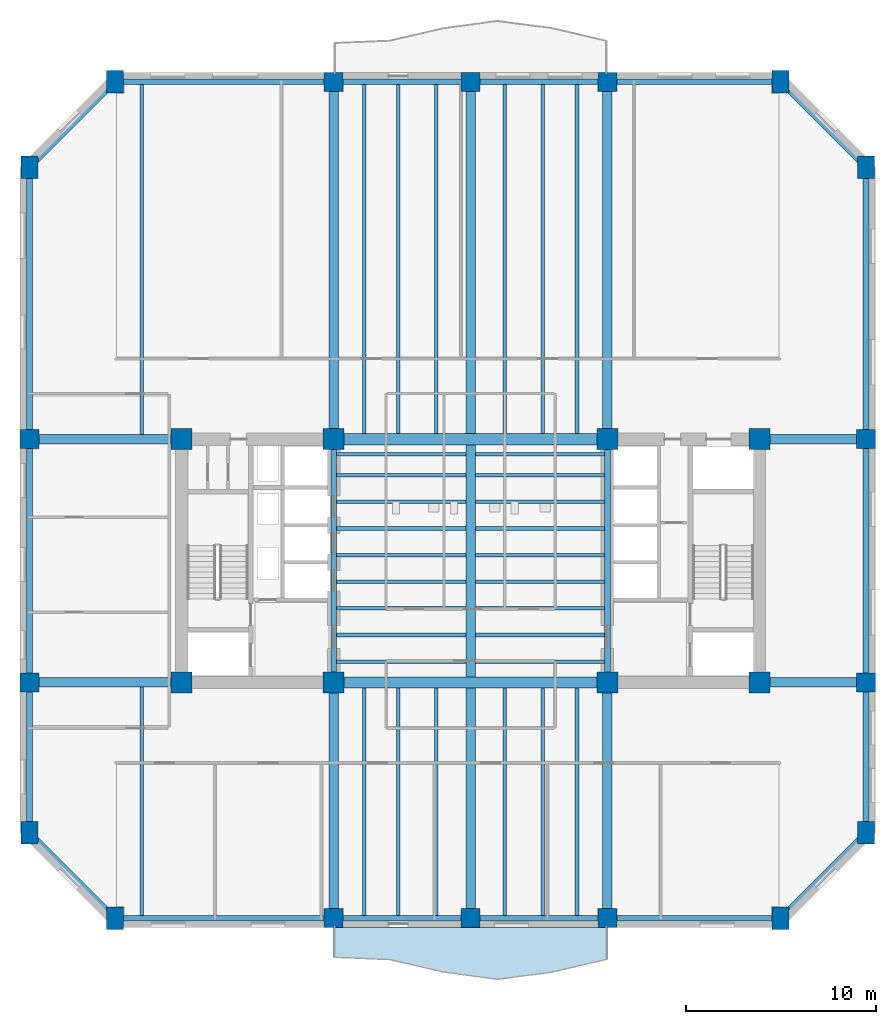
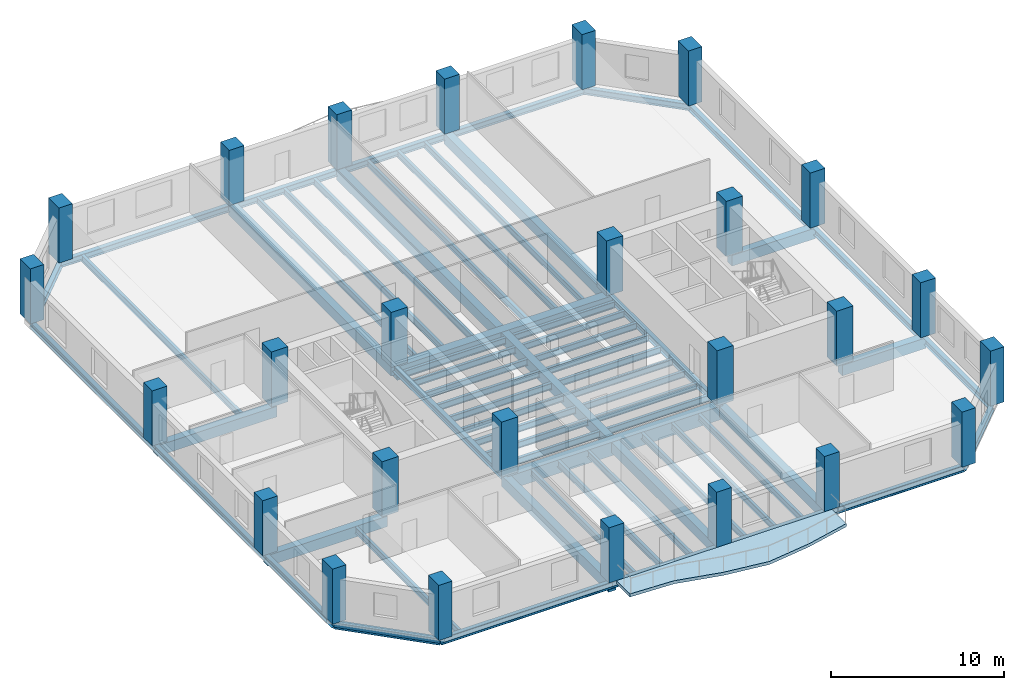
# One storey, part 1 of 10: 65 beams, 26 columns, 1 slab.
"""IFC4 building model written with IfcOpenShell, lengths in metres."""

from ifc_helpers import new_model, si_unit, direction, frame, origin, origin_2d, place, context, subcontext, project, spatial, polyline, rectangle, i_section, outline, extrude, material, layer, layer_set, material_profile, profile_set, type_object, element, save


model = new_model("IFC4")

# Units and contexts
model_context = context("Model", 3, precision=1e-05, world=origin(), true_north=direction((0.0, 1.0)))
body_context = subcontext(model_context, "Body", "Model", "MODEL_VIEW")
ifc_project = project(units=[si_unit("LENGTHUNIT", "METRE"), si_unit("AREAUNIT", "SQUARE_METRE"), si_unit("VOLUMEUNIT", "CUBIC_METRE"), si_unit("PLANEANGLEUNIT", "RADIAN"), si_unit("MASSUNIT", "GRAM", prefix="KILO")], contexts=[model_context])

# Site, building, storey
site_placement = place(None, origin())
site = spatial("IfcSite", under=ifc_project, at=site_placement, CompositionType="ELEMENT")
building_placement = place(site_placement, origin())
building = spatial("IfcBuilding", under=site, at=building_placement, Name="Kranthara Brick Stack", CompositionType="ELEMENT")
storey_placement = place(building_placement, frame((0.0, 0.0, 106.199951171875)))
storey = spatial("IfcBuildingStorey", under=building, at=storey_placement, Name="L26", CompositionType="ELEMENT", Elevation=106.199951171875)

# Columns
ifc_material_1 = material(Name="Concrete C70/85", Category="concrete")
ifc_material_profile_1 = material_profile(ifc_material_1, rectangle(XDim=0.89990234375, YDim=1.199951171875, at=origin_2d()), Name="RC 900x1200")
ifc_profile_set_1 = profile_set([ifc_material_profile_1], Name="Concrete C70/85")
column_type_1 = type_object("IfcColumnType", Name="COL-CHAM-900x1200", PredefinedType="COLUMN", material=ifc_profile_set_1)
for number, where, z_axis, x_axis, name in (
    (1, (9.300048828125, 8.39990234375, 0.0), (0.0, 0.0, 1.0), (1.0, 0.0, 0.0), "L26 Column 09"),
    (2, (9.300048828125, 52.39990234375, 0.0), (0.0, 0.0, 1.0), (1.0, 0.0, 0.0), "L26 Column 10"),
    (3, (44.300048828125, 8.39990234375, 0.0), (0.0, 0.0, 1.0), (1.0, 0.0, 0.0), "L26 Column 17"),
    (4, (44.300048828125, 52.39990234375, 0.0), (0.0, 0.0, 1.0), (1.0, 0.0, 0.0), "L26 Column 18"),
    (5, (4.800048828125, 12.89990234375, 0.0), (0.0, 0.0, 1.0), (1.0, 0.0, 0.0), "L26 Column 19"),
    (6, (48.800048828125, 12.89990234375, 0.0), (0.0, 0.0, 1.0), (1.0, 0.0, 0.0), "L26 Column 20"),
    (7, (4.800048828125, 47.89990234375, 0.0), (0.0, 0.0, 1.0), (1.0, 0.0, 0.0), "L26 Column 25"),
    (8, (48.800048828125, 47.89990234375, 0.0), (0.0, 0.0, 1.0), (1.0, 0.0, 0.0), "L26 Column 26"),
):
    element("IfcColumn", number, at=place(storey_placement, frame(where, z_axis=z_axis, x_axis=x_axis)), inside=storey, type_object=column_type_1, Name=name, PredefinedType="COLUMN", context=body_context, shape_type="SweptSolid", body=[
        extrude(rectangle(XDim=0.89990234375, YDim=1.199951171875, at=origin_2d()), origin(), (0.0, 0.0, 1.0), 3.900146484375),
    ])
ifc_material_2 = material(Name="Concrete C70/85", Category="concrete")
ifc_material_profile_2 = material_profile(ifc_material_2, rectangle(XDim=1.10009765625, YDim=1.10009765625, at=origin_2d()), Name="RC 1100x1100")
ifc_profile_set_2 = profile_set([ifc_material_profile_2], Name="Concrete C70/85")
column_type_2 = type_object("IfcColumnType", Name="COL-CORE-1100", PredefinedType="COLUMN", material=ifc_profile_set_2)
for number, where, z_axis, x_axis, name in (
    (9, (12.800048828125, 20.800048828125, 0.0), (0.0, 0.0, 1.0), (1.0, 0.0, 0.0), "L26 Column 01"),
    (10, (20.800048828125, 20.800048828125, 0.0), (0.0, 0.0, 1.0), (1.0, 0.0, 0.0), "L26 Column 02"),
    (11, (12.800048828125, 33.60009765625, 0.0), (0.0, 0.0, 1.0), (1.0, 0.0, 0.0), "L26 Column 03"),
    (12, (20.800048828125, 33.60009765625, 0.0), (0.0, 0.0, 1.0), (1.0, 0.0, 0.0), "L26 Column 04"),
    (13, (35.199951171875, 20.800048828125, 0.0), (0.0, 0.0, 1.0), (1.0, 0.0, 0.0), "L26 Column 05"),
    (14, (43.199951171875, 20.800048828125, 0.0), (0.0, 0.0, 1.0), (1.0, 0.0, 0.0), "L26 Column 06"),
    (15, (35.199951171875, 33.60009765625, 0.0), (0.0, 0.0, 1.0), (1.0, 0.0, 0.0), "L26 Column 07"),
    (16, (43.199951171875, 33.60009765625, 0.0), (0.0, 0.0, 1.0), (1.0, 0.0, 0.0), "L26 Column 08"),
):
    element("IfcColumn", number, at=place(storey_placement, frame(where, z_axis=z_axis, x_axis=x_axis)), inside=storey, type_object=column_type_2, Name=name, PredefinedType="COLUMN", context=body_context, shape_type="SweptSolid", body=[
        extrude(rectangle(XDim=1.10009765625, YDim=1.10009765625, at=origin_2d()), origin(), (0.0, 0.0, 1.0), 3.900146484375),
    ])
ifc_material_3 = material(Name="Concrete C60/75", Category="concrete")
ifc_material_profile_3 = material_profile(ifc_material_3, rectangle(XDim=1.0, YDim=1.0, at=origin_2d()), Name="RC 1000x1000")
ifc_profile_set_3 = profile_set([ifc_material_profile_3], Name="Concrete C60/75")
column_type_3 = type_object("IfcColumnType", Name="COL-PER-1000", PredefinedType="COLUMN", material=ifc_profile_set_3)
for number, where, z_axis, x_axis, name in (
    (17, (20.800048828125, 8.39990234375, 0.0), (0.0, 0.0, 1.0), (1.0, 0.0, 0.0), "L26 Column 11"),
    (18, (20.800048828125, 52.39990234375, 0.0), (0.0, 0.0, 1.0), (1.0, 0.0, 0.0), "L26 Column 12"),
    (19, (28.0, 8.39990234375, 0.0), (0.0, 0.0, 1.0), (1.0, 0.0, 0.0), "L26 Column 13"),
    (20, (28.0, 52.39990234375, 0.0), (0.0, 0.0, 1.0), (1.0, 0.0, 0.0), "L26 Column 14"),
    (21, (35.199951171875, 8.39990234375, 0.0), (0.0, 0.0, 1.0), (1.0, 0.0, 0.0), "L26 Column 15"),
    (22, (35.199951171875, 52.39990234375, 0.0), (0.0, 0.0, 1.0), (1.0, 0.0, 0.0), "L26 Column 16"),
    (23, (4.800048828125, 20.800048828125, 0.0), (0.0, 0.0, 1.0), (1.0, 0.0, 0.0), "L26 Column 21"),
    (24, (48.800048828125, 20.800048828125, 0.0), (0.0, 0.0, 1.0), (1.0, 0.0, 0.0), "L26 Column 22"),
    (25, (4.800048828125, 33.60009765625, 0.0), (0.0, 0.0, 1.0), (1.0, 0.0, 0.0), "L26 Column 23"),
    (26, (48.800048828125, 33.60009765625, 0.0), (0.0, 0.0, 1.0), (1.0, 0.0, 0.0), "L26 Column 24"),
):
    element("IfcColumn", number, at=place(storey_placement, frame(where, z_axis=z_axis, x_axis=x_axis)), inside=storey, type_object=column_type_3, Name=name, PredefinedType="COLUMN", context=body_context, shape_type="SweptSolid", body=[
        extrude(rectangle(XDim=1.0, YDim=1.0, at=origin_2d()), origin(), (0.0, 0.0, 1.0), 3.900146484375),
    ])

# Beams
ifc_material_4 = material(Name="Concrete C60/75", Category="concrete")
ifc_material_profile_4 = material_profile(ifc_material_4, rectangle(XDim=0.60009765625, YDim=0.949951171875, at=origin_2d()), Name="RC 600x950")
ifc_profile_set_4 = profile_set([ifc_material_profile_4], Name="Concrete C60/75")
beam_type_1 = type_object("IfcBeamType", Name="BM-CPL-RC950", PredefinedType="LINTEL", material=ifc_profile_set_4)
for number, where, z_axis, x_axis, name in (
    (27, (20.800048828125, 20.800048828125, -0.77490234375), (1.0, 0.0, 0.0), (0.0, 1.0, 0.0), "L26 Core Coupling Beam 001"),
    (28, (20.800048828125, 33.60009765625, -0.77490234375), (1.0, 0.0, 0.0), (0.0, 1.0, 0.0), "L26 Core Coupling Beam 002"),
):
    element("IfcBeam", number, at=place(storey_placement, frame(where, z_axis=z_axis, x_axis=x_axis)), inside=storey, type_object=beam_type_1, Name=name, PredefinedType="LINTEL", context=body_context, shape_type="SweptSolid", body=[
        extrude(rectangle(XDim=0.60009765625, YDim=0.949951171875, at=origin_2d()), origin(), (0.0, 0.0, 1.0), 14.39990234375),
    ])
ifc_material_5 = material(Name="Post-tensioned concrete C45/55", Category="concrete")
ifc_material_profile_5 = material_profile(ifc_material_5, rectangle(XDim=0.5, YDim=0.75, at=origin_2d()), Name="PT 500x750")
ifc_profile_set_5 = profile_set([ifc_material_profile_5], Name="Post-tensioned concrete C45/55")
beam_type_2 = type_object("IfcBeamType", Name="BM-FLR-PT750", PredefinedType="BEAM", material=ifc_profile_set_5)
beam_1_placement = place(storey_placement, frame((20.800048828125, 8.39990234375, -0.675048828125), z_axis=(0.0, 1.0, 0.0), x_axis=(-1.0, 0.0, 0.0)))
element("IfcBeam", 29, at=beam_1_placement, inside=storey, type_object=beam_type_2, Name="L26 Primary Grid Girder 023", PredefinedType="BEAM", context=body_context, shape_type="SweptSolid", body=[
    extrude(rectangle(XDim=0.5, YDim=0.75, at=origin_2d()), origin(), (0.0, 0.0, 1.0), 12.400146484375),
])
beam_2_placement = place(storey_placement, frame((20.800048828125, 33.60009765625, -0.675048828125), z_axis=(0.0, 1.0, 0.0), x_axis=(-1.0, 0.0, 0.0)))
element("IfcBeam", 30, at=beam_2_placement, inside=storey, type_object=beam_type_2, Name="L26 Primary Grid Girder 024", PredefinedType="BEAM", context=body_context, shape_type="SweptSolid", body=[
    extrude(rectangle(XDim=0.5, YDim=0.75, at=origin_2d()), origin(), (0.0, 0.0, 1.0), 18.7998046875),
])
beam_3_placement = place(storey_placement, frame((28.0, 8.39990234375, -0.675048828125), z_axis=(0.0, 1.0, 0.0), x_axis=(-1.0, 0.0, 0.0)))
element("IfcBeam", 31, at=beam_3_placement, inside=storey, type_object=beam_type_2, Name="L26 Primary Grid Girder 025", PredefinedType="BEAM", context=body_context, shape_type="SweptSolid", body=[
    extrude(rectangle(XDim=0.5, YDim=0.75, at=origin_2d()), origin(), (0.0, 0.0, 1.0), 12.10009765625),
])
beam_4_placement = place(storey_placement, frame((28.0, 21.10009765625, -0.675048828125), z_axis=(0.0, 1.0, 0.0), x_axis=(-1.0, 0.0, 0.0)))
element("IfcBeam", 32, at=beam_4_placement, inside=storey, type_object=beam_type_2, Name="L26 Central Spine Girder 026", PredefinedType="BEAM", context=body_context, shape_type="SweptSolid", body=[
    extrude(rectangle(XDim=0.5, YDim=0.75, at=origin_2d()), origin(), (0.0, 0.0, 1.0), 12.199951171875),
])
beam_5_placement = place(storey_placement, frame((28.0, 33.89990234375, -0.675048828125), z_axis=(0.0, 1.0, 0.0), x_axis=(-1.0, 0.0, 0.0)))
element("IfcBeam", 33, at=beam_5_placement, inside=storey, type_object=beam_type_2, Name="L26 Primary Grid Girder 027", PredefinedType="BEAM", context=body_context, shape_type="SweptSolid", body=[
    extrude(rectangle(XDim=0.5, YDim=0.75, at=origin_2d()), origin(), (0.0, 0.0, 1.0), 18.5),
])
beam_6_placement = place(storey_placement, frame((35.199951171875, 8.39990234375, -0.675048828125), z_axis=(0.0, 1.0, 0.0), x_axis=(-1.0, 0.0, 0.0)))
element("IfcBeam", 34, at=beam_6_placement, inside=storey, type_object=beam_type_2, Name="L26 Primary Grid Girder 028", PredefinedType="BEAM", context=body_context, shape_type="SweptSolid", body=[
    extrude(rectangle(XDim=0.5, YDim=0.75, at=origin_2d()), origin(), (0.0, 0.0, 1.0), 12.400146484375),
])
beam_7_placement = place(storey_placement, frame((35.199951171875, 33.60009765625, -0.675048828125), z_axis=(0.0, 1.0, 0.0), x_axis=(-1.0, 0.0, 0.0)))
element("IfcBeam", 35, at=beam_7_placement, inside=storey, type_object=beam_type_2, Name="L26 Primary Grid Girder 029", PredefinedType="BEAM", context=body_context, shape_type="SweptSolid", body=[
    extrude(rectangle(XDim=0.5, YDim=0.75, at=origin_2d()), origin(), (0.0, 0.0, 1.0), 18.7998046875),
])
beam_8_placement = place(storey_placement, frame((4.800048828125, 20.800048828125, -0.675048828125), z_axis=(1.0, 0.0, 0.0), x_axis=(0.0, 1.0, 0.0)))
element("IfcBeam", 36, at=beam_8_placement, inside=storey, type_object=beam_type_2, Name="L26 Primary Grid Girder 030", PredefinedType="BEAM", context=body_context, shape_type="SweptSolid", body=[
    extrude(rectangle(XDim=0.5, YDim=0.75, at=origin_2d()), origin(), (0.0, 0.0, 1.0), 8.0),
])
beam_9_placement = place(storey_placement, frame((43.199951171875, 20.800048828125, -0.675048828125), z_axis=(1.0, 0.0, 0.0), x_axis=(0.0, 1.0, 0.0)))
element("IfcBeam", 37, at=beam_9_placement, inside=storey, type_object=beam_type_2, Name="L26 Primary Grid Girder 031", PredefinedType="BEAM", context=body_context, shape_type="SweptSolid", body=[
    extrude(rectangle(XDim=0.5, YDim=0.75, at=origin_2d()), origin(), (0.0, 0.0, 1.0), 5.60009765625),
])
beam_10_placement = place(storey_placement, frame((4.800048828125, 33.60009765625, -0.675048828125), z_axis=(1.0, 0.0, 0.0), x_axis=(0.0, 1.0, 0.0)))
element("IfcBeam", 38, at=beam_10_placement, inside=storey, type_object=beam_type_2, Name="L26 Primary Grid Girder 032", PredefinedType="BEAM", context=body_context, shape_type="SweptSolid", body=[
    extrude(rectangle(XDim=0.5, YDim=0.75, at=origin_2d()), origin(), (0.0, 0.0, 1.0), 8.0),
])
beam_11_placement = place(storey_placement, frame((43.199951171875, 33.60009765625, -0.675048828125), z_axis=(1.0, 0.0, 0.0), x_axis=(0.0, 1.0, 0.0)))
element("IfcBeam", 39, at=beam_11_placement, inside=storey, type_object=beam_type_2, Name="L26 Primary Grid Girder 033", PredefinedType="BEAM", context=body_context, shape_type="SweptSolid", body=[
    extrude(rectangle(XDim=0.5, YDim=0.75, at=origin_2d()), origin(), (0.0, 0.0, 1.0), 5.60009765625),
])
ifc_material_6 = material(Name="Steel S355", Category="steel")
ifc_material_profile_6 = material_profile(ifc_material_6, i_section(OverallWidth=0.18994140625, OverallDepth=0.449951171875, WebThickness=0.009521484375, FlangeThickness=0.0146484375, at=origin_2d()), Name="IPE 450")
ifc_profile_set_6 = profile_set([ifc_material_profile_6], Name="Steel S355")
beam_type_3 = type_object("IfcBeamType", Name="BM-JST-IPE450", PredefinedType="JOIST", material=ifc_profile_set_6)
for number, where, z_axis, x_axis, name in (
    (40, (20.949951171875, 21.89990234375, -0.52490234375), (1.0, 0.0, 0.0), (0.0, 1.0, 0.0), "L26 Central Floor Joist 034"),
    (41, (28.25, 21.89990234375, -0.52490234375), (1.0, 0.0, 0.0), (0.0, 1.0, 0.0), "L26 Central Floor Joist 035"),
    (42, (20.949951171875, 23.300048828125, -0.52490234375), (1.0, 0.0, 0.0), (0.0, 1.0, 0.0), "L26 Central Floor Joist 036"),
    (43, (28.25, 23.300048828125, -0.52490234375), (1.0, 0.0, 0.0), (0.0, 1.0, 0.0), "L26 Central Floor Joist 037"),
    (44, (20.949951171875, 24.699951171875, -0.52490234375), (1.0, 0.0, 0.0), (0.0, 1.0, 0.0), "L26 Central Floor Joist 038"),
    (45, (28.25, 24.699951171875, -0.52490234375), (1.0, 0.0, 0.0), (0.0, 1.0, 0.0), "L26 Central Floor Joist 039"),
    (46, (20.949951171875, 26.10009765625, -0.52490234375), (1.0, 0.0, 0.0), (0.0, 1.0, 0.0), "L26 Central Floor Joist 040"),
    (47, (28.25, 26.10009765625, -0.52490234375), (1.0, 0.0, 0.0), (0.0, 1.0, 0.0), "L26 Central Floor Joist 041"),
    (48, (20.949951171875, 27.5, -0.52490234375), (1.0, 0.0, 0.0), (0.0, 1.0, 0.0), "L26 Central Floor Joist 042"),
    (49, (28.25, 27.5, -0.52490234375), (1.0, 0.0, 0.0), (0.0, 1.0, 0.0), "L26 Central Floor Joist 043"),
    (50, (20.949951171875, 28.89990234375, -0.52490234375), (1.0, 0.0, 0.0), (0.0, 1.0, 0.0), "L26 Central Floor Joist 044"),
    (51, (28.25, 28.89990234375, -0.52490234375), (1.0, 0.0, 0.0), (0.0, 1.0, 0.0), "L26 Central Floor Joist 045"),
    (52, (20.949951171875, 30.300048828125, -0.52490234375), (1.0, 0.0, 0.0), (0.0, 1.0, 0.0), "L26 Central Floor Joist 046"),
    (53, (28.25, 30.300048828125, -0.52490234375), (1.0, 0.0, 0.0), (0.0, 1.0, 0.0), "L26 Central Floor Joist 047"),
    (54, (20.949951171875, 31.699951171875, -0.52490234375), (1.0, 0.0, 0.0), (0.0, 1.0, 0.0), "L26 Central Floor Joist 048"),
    (55, (28.25, 31.699951171875, -0.52490234375), (1.0, 0.0, 0.0), (0.0, 1.0, 0.0), "L26 Central Floor Joist 049"),
    (56, (20.949951171875, 32.800048828125, -0.52490234375), (1.0, 0.0, 0.0), (0.0, 1.0, 0.0), "L26 Central Floor Joist 050"),
    (57, (28.25, 32.800048828125, -0.52490234375), (1.0, 0.0, 0.0), (0.0, 1.0, 0.0), "L26 Central Floor Joist 051"),
):
    element("IfcBeam", number, at=place(storey_placement, frame(where, z_axis=z_axis, x_axis=x_axis)), inside=storey, type_object=beam_type_3, Name=name, PredefinedType="JOIST", context=body_context, shape_type="SweptSolid", body=[
        extrude(i_section(OverallWidth=0.18994140625, OverallDepth=0.449951171875, WebThickness=0.009521484375, FlangeThickness=0.0146484375, at=origin_2d()), origin(), (0.0, 0.0, 1.0), 6.800048828125),
    ])
beam_12_placement = place(storey_placement, frame((10.699951171875, 8.550048828125, -0.52490234375), z_axis=(0.0, 1.0, 0.0), x_axis=(-1.0, 0.0, 0.0)))
element("IfcBeam", 58, at=beam_12_placement, inside=storey, type_object=beam_type_3, Name="L26 South Wing Floor Joist 052", PredefinedType="JOIST", context=body_context, shape_type="SweptSolid", body=[
    extrude(i_section(OverallWidth=0.18994140625, OverallDepth=0.449951171875, WebThickness=0.009521484375, FlangeThickness=0.0146484375, at=origin_2d()), origin(), (0.0, 0.0, 1.0), 12.0),
])
beam_13_placement = place(storey_placement, frame((10.699951171875, 33.85009765625, -0.52490234375), z_axis=(0.0, 1.0, 0.0), x_axis=(-1.0, 0.0, 0.0)))
element("IfcBeam", 59, at=beam_13_placement, inside=storey, type_object=beam_type_3, Name="L26 North Wing Floor Joist 053", PredefinedType="JOIST", context=body_context, shape_type="SweptSolid", body=[
    extrude(i_section(OverallWidth=0.18994140625, OverallDepth=0.449951171875, WebThickness=0.009521484375, FlangeThickness=0.0146484375, at=origin_2d()), origin(), (0.0, 0.0, 1.0), 18.39990234375),
])
beam_14_placement = place(storey_placement, frame((22.39990234375, 8.550048828125, -0.52490234375), z_axis=(0.0, 1.0, 0.0), x_axis=(-1.0, 0.0, 0.0)))
element("IfcBeam", 60, at=beam_14_placement, inside=storey, type_object=beam_type_3, Name="L26 South Wing Floor Joist 054", PredefinedType="JOIST", context=body_context, shape_type="SweptSolid", body=[
    extrude(i_section(OverallWidth=0.18994140625, OverallDepth=0.449951171875, WebThickness=0.009521484375, FlangeThickness=0.0146484375, at=origin_2d()), origin(), (0.0, 0.0, 1.0), 11.949951171875),
])
beam_15_placement = place(storey_placement, frame((22.39990234375, 33.89990234375, -0.52490234375), z_axis=(0.0, 1.0, 0.0), x_axis=(-1.0, 0.0, 0.0)))
element("IfcBeam", 61, at=beam_15_placement, inside=storey, type_object=beam_type_3, Name="L26 North Wing Floor Joist 055", PredefinedType="JOIST", context=body_context, shape_type="SweptSolid", body=[
    extrude(i_section(OverallWidth=0.18994140625, OverallDepth=0.449951171875, WebThickness=0.009521484375, FlangeThickness=0.0146484375, at=origin_2d()), origin(), (0.0, 0.0, 1.0), 18.35009765625),
])
beam_16_placement = place(storey_placement, frame((24.199951171875, 8.550048828125, -0.52490234375), z_axis=(0.0, 1.0, 0.0), x_axis=(-1.0, 0.0, 0.0)))
element("IfcBeam", 62, at=beam_16_placement, inside=storey, type_object=beam_type_3, Name="L26 South Wing Floor Joist 056", PredefinedType="JOIST", context=body_context, shape_type="SweptSolid", body=[
    extrude(i_section(OverallWidth=0.18994140625, OverallDepth=0.449951171875, WebThickness=0.009521484375, FlangeThickness=0.0146484375, at=origin_2d()), origin(), (0.0, 0.0, 1.0), 11.949951171875),
])
beam_17_placement = place(storey_placement, frame((24.199951171875, 33.89990234375, -0.52490234375), z_axis=(0.0, 1.0, 0.0), x_axis=(-1.0, 0.0, 0.0)))
element("IfcBeam", 63, at=beam_17_placement, inside=storey, type_object=beam_type_3, Name="L26 North Wing Floor Joist 057", PredefinedType="JOIST", context=body_context, shape_type="SweptSolid", body=[
    extrude(i_section(OverallWidth=0.18994140625, OverallDepth=0.449951171875, WebThickness=0.009521484375, FlangeThickness=0.0146484375, at=origin_2d()), origin(), (0.0, 0.0, 1.0), 18.35009765625),
])
beam_18_placement = place(storey_placement, frame((26.199951171875, 8.550048828125, -0.52490234375), z_axis=(0.0, 1.0, 0.0), x_axis=(-1.0, 0.0, 0.0)))
element("IfcBeam", 64, at=beam_18_placement, inside=storey, type_object=beam_type_3, Name="L26 South Wing Floor Joist 058", PredefinedType="JOIST", context=body_context, shape_type="SweptSolid", body=[
    extrude(i_section(OverallWidth=0.18994140625, OverallDepth=0.449951171875, WebThickness=0.009521484375, FlangeThickness=0.0146484375, at=origin_2d()), origin(), (0.0, 0.0, 1.0), 11.949951171875),
])
beam_19_placement = place(storey_placement, frame((26.199951171875, 33.89990234375, -0.52490234375), z_axis=(0.0, 1.0, 0.0), x_axis=(-1.0, 0.0, 0.0)))
element("IfcBeam", 65, at=beam_19_placement, inside=storey, type_object=beam_type_3, Name="L26 North Wing Floor Joist 059", PredefinedType="JOIST", context=body_context, shape_type="SweptSolid", body=[
    extrude(i_section(OverallWidth=0.18994140625, OverallDepth=0.449951171875, WebThickness=0.009521484375, FlangeThickness=0.0146484375, at=origin_2d()), origin(), (0.0, 0.0, 1.0), 18.35009765625),
])
beam_20_placement = place(storey_placement, frame((29.800048828125, 8.550048828125, -0.52490234375), z_axis=(0.0, 1.0, 0.0), x_axis=(-1.0, 0.0, 0.0)))
element("IfcBeam", 66, at=beam_20_placement, inside=storey, type_object=beam_type_3, Name="L26 South Wing Floor Joist 060", PredefinedType="JOIST", context=body_context, shape_type="SweptSolid", body=[
    extrude(i_section(OverallWidth=0.18994140625, OverallDepth=0.449951171875, WebThickness=0.009521484375, FlangeThickness=0.0146484375, at=origin_2d()), origin(), (0.0, 0.0, 1.0), 11.949951171875),
])
beam_21_placement = place(storey_placement, frame((29.800048828125, 33.89990234375, -0.52490234375), z_axis=(0.0, 1.0, 0.0), x_axis=(-1.0, 0.0, 0.0)))
element("IfcBeam", 67, at=beam_21_placement, inside=storey, type_object=beam_type_3, Name="L26 North Wing Floor Joist 061", PredefinedType="JOIST", context=body_context, shape_type="SweptSolid", body=[
    extrude(i_section(OverallWidth=0.18994140625, OverallDepth=0.449951171875, WebThickness=0.009521484375, FlangeThickness=0.0146484375, at=origin_2d()), origin(), (0.0, 0.0, 1.0), 18.35009765625),
])
beam_22_placement = place(storey_placement, frame((31.800048828125, 8.550048828125, -0.52490234375), z_axis=(0.0, 1.0, 0.0), x_axis=(-1.0, 0.0, 0.0)))
element("IfcBeam", 68, at=beam_22_placement, inside=storey, type_object=beam_type_3, Name="L26 South Wing Floor Joist 062", PredefinedType="JOIST", context=body_context, shape_type="SweptSolid", body=[
    extrude(i_section(OverallWidth=0.18994140625, OverallDepth=0.449951171875, WebThickness=0.009521484375, FlangeThickness=0.0146484375, at=origin_2d()), origin(), (0.0, 0.0, 1.0), 11.949951171875),
])
beam_23_placement = place(storey_placement, frame((31.800048828125, 33.89990234375, -0.52490234375), z_axis=(0.0, 1.0, 0.0), x_axis=(-1.0, 0.0, 0.0)))
element("IfcBeam", 69, at=beam_23_placement, inside=storey, type_object=beam_type_3, Name="L26 North Wing Floor Joist 063", PredefinedType="JOIST", context=body_context, shape_type="SweptSolid", body=[
    extrude(i_section(OverallWidth=0.18994140625, OverallDepth=0.449951171875, WebThickness=0.009521484375, FlangeThickness=0.0146484375, at=origin_2d()), origin(), (0.0, 0.0, 1.0), 18.35009765625),
])
beam_24_placement = place(storey_placement, frame((33.60009765625, 8.550048828125, -0.52490234375), z_axis=(0.0, 1.0, 0.0), x_axis=(-1.0, 0.0, 0.0)))
element("IfcBeam", 70, at=beam_24_placement, inside=storey, type_object=beam_type_3, Name="L26 South Wing Floor Joist 064", PredefinedType="JOIST", context=body_context, shape_type="SweptSolid", body=[
    extrude(i_section(OverallWidth=0.18994140625, OverallDepth=0.449951171875, WebThickness=0.009521484375, FlangeThickness=0.0146484375, at=origin_2d()), origin(), (0.0, 0.0, 1.0), 11.949951171875),
])
beam_25_placement = place(storey_placement, frame((33.60009765625, 33.89990234375, -0.52490234375), z_axis=(0.0, 1.0, 0.0), x_axis=(-1.0, 0.0, 0.0)))
element("IfcBeam", 71, at=beam_25_placement, inside=storey, type_object=beam_type_3, Name="L26 North Wing Floor Joist 065", PredefinedType="JOIST", context=body_context, shape_type="SweptSolid", body=[
    extrude(i_section(OverallWidth=0.18994140625, OverallDepth=0.449951171875, WebThickness=0.009521484375, FlangeThickness=0.0146484375, at=origin_2d()), origin(), (0.0, 0.0, 1.0), 18.35009765625),
])
ifc_material_7 = material(Name="Steel S355", Category="steel")
ifc_material_profile_7 = material_profile(ifc_material_7, i_section(OverallWidth=0.300048828125, OverallDepth=0.449951171875, WebThickness=0.013916015625, FlangeThickness=0.02587890625, at=origin_2d()), Name="HEB 450")
ifc_profile_set_7 = profile_set([ifc_material_profile_7], Name="Steel S355")
beam_type_4 = type_object("IfcBeamType", Name="BM-STL-HEB450", PredefinedType="SPANDREL", material=ifc_profile_set_7)
for number, where, z_axis, x_axis, name in (
    (72, (20.800048828125, 20.800048828125, -0.52490234375), (0.0, 1.0, 0.0), (-1.0, 0.0, 0.0), "L26 Core Edge Tie Beam 003"),
    (73, (35.199951171875, 20.800048828125, -0.52490234375), (0.0, 1.0, 0.0), (-1.0, 0.0, 0.0), "L26 Core Edge Tie Beam 004"),
):
    element("IfcBeam", number, at=place(storey_placement, frame(where, z_axis=z_axis, x_axis=x_axis)), inside=storey, type_object=beam_type_4, Name=name, PredefinedType="SPANDREL", context=body_context, shape_type="SweptSolid", body=[
        extrude(i_section(OverallWidth=0.300048828125, OverallDepth=0.449951171875, WebThickness=0.013916015625, FlangeThickness=0.02587890625, at=origin_2d()), origin(), (0.0, 0.0, 1.0), 12.800048828125),
    ])
beam_26_placement = place(storey_placement, frame((9.300048828125, 8.39990234375, -0.52490234375), z_axis=(1.0, 0.0, 0.0), x_axis=(0.0, 1.0, 0.0)))
element("IfcBeam", 74, at=beam_26_placement, inside=storey, type_object=beam_type_4, Name="L26 Perimeter Spandrel Beam 005", PredefinedType="SPANDREL", context=body_context, shape_type="SweptSolid", body=[
    extrude(i_section(OverallWidth=0.300048828125, OverallDepth=0.449951171875, WebThickness=0.013916015625, FlangeThickness=0.02587890625, at=origin_2d()), origin(), (0.0, 0.0, 1.0), 11.5),
])
for number, where, z_axis, x_axis, name in (
    (75, (20.800048828125, 8.39990234375, -0.52490234375), (1.0, 0.0, 0.0), (0.0, 1.0, 0.0), "L26 Perimeter Spandrel Beam 006"),
    (76, (28.0, 8.39990234375, -0.52490234375), (1.0, 0.0, 0.0), (0.0, 1.0, 0.0), "L26 Perimeter Spandrel Beam 007"),
):
    element("IfcBeam", number, at=place(storey_placement, frame(where, z_axis=z_axis, x_axis=x_axis)), inside=storey, type_object=beam_type_4, Name=name, PredefinedType="SPANDREL", context=body_context, shape_type="SweptSolid", body=[
        extrude(i_section(OverallWidth=0.300048828125, OverallDepth=0.449951171875, WebThickness=0.013916015625, FlangeThickness=0.02587890625, at=origin_2d()), origin(), (0.0, 0.0, 1.0), 7.199951171875),
    ])
beam_27_placement = place(storey_placement, frame((35.199951171875, 8.39990234375, -0.52490234375), z_axis=(1.0, 0.0, 0.0), x_axis=(0.0, 1.0, 0.0)))
element("IfcBeam", 77, at=beam_27_placement, inside=storey, type_object=beam_type_4, Name="L26 Perimeter Spandrel Beam 008", PredefinedType="SPANDREL", context=body_context, shape_type="SweptSolid", body=[
    extrude(i_section(OverallWidth=0.300048828125, OverallDepth=0.449951171875, WebThickness=0.013916015625, FlangeThickness=0.02587890625, at=origin_2d()), origin(), (0.0, 0.0, 1.0), 9.10009765625),
])
beam_28_placement = place(storey_placement, frame((9.300048828125, 52.39990234375, -0.52490234375), z_axis=(1.0, 0.0, 0.0), x_axis=(0.0, 1.0, 0.0)))
element("IfcBeam", 78, at=beam_28_placement, inside=storey, type_object=beam_type_4, Name="L26 Perimeter Spandrel Beam 009", PredefinedType="SPANDREL", context=body_context, shape_type="SweptSolid", body=[
    extrude(i_section(OverallWidth=0.300048828125, OverallDepth=0.449951171875, WebThickness=0.013916015625, FlangeThickness=0.02587890625, at=origin_2d()), origin(), (0.0, 0.0, 1.0), 11.5),
])
for number, where, z_axis, x_axis, name in (
    (79, (20.800048828125, 52.39990234375, -0.52490234375), (1.0, 0.0, 0.0), (0.0, 1.0, 0.0), "L26 Perimeter Spandrel Beam 010"),
    (80, (28.0, 52.39990234375, -0.52490234375), (1.0, 0.0, 0.0), (0.0, 1.0, 0.0), "L26 Perimeter Spandrel Beam 011"),
):
    element("IfcBeam", number, at=place(storey_placement, frame(where, z_axis=z_axis, x_axis=x_axis)), inside=storey, type_object=beam_type_4, Name=name, PredefinedType="SPANDREL", context=body_context, shape_type="SweptSolid", body=[
        extrude(i_section(OverallWidth=0.300048828125, OverallDepth=0.449951171875, WebThickness=0.013916015625, FlangeThickness=0.02587890625, at=origin_2d()), origin(), (0.0, 0.0, 1.0), 7.199951171875),
    ])
beam_29_placement = place(storey_placement, frame((35.199951171875, 52.39990234375, -0.52490234375), z_axis=(1.0, 0.0, 0.0), x_axis=(0.0, 1.0, 0.0)))
element("IfcBeam", 81, at=beam_29_placement, inside=storey, type_object=beam_type_4, Name="L26 Perimeter Spandrel Beam 012", PredefinedType="SPANDREL", context=body_context, shape_type="SweptSolid", body=[
    extrude(i_section(OverallWidth=0.300048828125, OverallDepth=0.449951171875, WebThickness=0.013916015625, FlangeThickness=0.02587890625, at=origin_2d()), origin(), (0.0, 0.0, 1.0), 9.10009765625),
])
beam_30_placement = place(storey_placement, frame((4.800048828125, 12.89990234375, -0.52490234375), z_axis=(0.0, 1.0, 0.0), x_axis=(-1.0, 0.0, 0.0)))
element("IfcBeam", 82, at=beam_30_placement, inside=storey, type_object=beam_type_4, Name="L26 Perimeter Spandrel Beam 013", PredefinedType="SPANDREL", context=body_context, shape_type="SweptSolid", body=[
    extrude(i_section(OverallWidth=0.300048828125, OverallDepth=0.449951171875, WebThickness=0.013916015625, FlangeThickness=0.02587890625, at=origin_2d()), origin(), (0.0, 0.0, 1.0), 7.900146484375),
])
beam_31_placement = place(storey_placement, frame((4.800048828125, 20.800048828125, -0.52490234375), z_axis=(0.0, 1.0, 0.0), x_axis=(-1.0, 0.0, 0.0)))
element("IfcBeam", 83, at=beam_31_placement, inside=storey, type_object=beam_type_4, Name="L26 Perimeter Spandrel Beam 014", PredefinedType="SPANDREL", context=body_context, shape_type="SweptSolid", body=[
    extrude(i_section(OverallWidth=0.300048828125, OverallDepth=0.449951171875, WebThickness=0.013916015625, FlangeThickness=0.02587890625, at=origin_2d()), origin(), (0.0, 0.0, 1.0), 12.800048828125),
])
beam_32_placement = place(storey_placement, frame((4.800048828125, 33.60009765625, -0.52490234375), z_axis=(0.0, 1.0, 0.0), x_axis=(-1.0, 0.0, 0.0)))
element("IfcBeam", 84, at=beam_32_placement, inside=storey, type_object=beam_type_4, Name="L26 Perimeter Spandrel Beam 015", PredefinedType="SPANDREL", context=body_context, shape_type="SweptSolid", body=[
    extrude(i_section(OverallWidth=0.300048828125, OverallDepth=0.449951171875, WebThickness=0.013916015625, FlangeThickness=0.02587890625, at=origin_2d()), origin(), (0.0, 0.0, 1.0), 14.2998046875),
])
beam_33_placement = place(storey_placement, frame((48.800048828125, 12.89990234375, -0.52490234375), z_axis=(0.0, 1.0, 0.0), x_axis=(-1.0, 0.0, 0.0)))
element("IfcBeam", 85, at=beam_33_placement, inside=storey, type_object=beam_type_4, Name="L26 Perimeter Spandrel Beam 016", PredefinedType="SPANDREL", context=body_context, shape_type="SweptSolid", body=[
    extrude(i_section(OverallWidth=0.300048828125, OverallDepth=0.449951171875, WebThickness=0.013916015625, FlangeThickness=0.02587890625, at=origin_2d()), origin(), (0.0, 0.0, 1.0), 7.900146484375),
])
beam_34_placement = place(storey_placement, frame((48.800048828125, 20.800048828125, -0.52490234375), z_axis=(0.0, 1.0, 0.0), x_axis=(-1.0, 0.0, 0.0)))
element("IfcBeam", 86, at=beam_34_placement, inside=storey, type_object=beam_type_4, Name="L26 Perimeter Spandrel Beam 017", PredefinedType="SPANDREL", context=body_context, shape_type="SweptSolid", body=[
    extrude(i_section(OverallWidth=0.300048828125, OverallDepth=0.449951171875, WebThickness=0.013916015625, FlangeThickness=0.02587890625, at=origin_2d()), origin(), (0.0, 0.0, 1.0), 12.800048828125),
])
beam_35_placement = place(storey_placement, frame((48.800048828125, 33.60009765625, -0.52490234375), z_axis=(0.0, 1.0, 0.0), x_axis=(-1.0, 0.0, 0.0)))
element("IfcBeam", 87, at=beam_35_placement, inside=storey, type_object=beam_type_4, Name="L26 Perimeter Spandrel Beam 018", PredefinedType="SPANDREL", context=body_context, shape_type="SweptSolid", body=[
    extrude(i_section(OverallWidth=0.300048828125, OverallDepth=0.449951171875, WebThickness=0.013916015625, FlangeThickness=0.02587890625, at=origin_2d()), origin(), (0.0, 0.0, 1.0), 14.2998046875),
])
for number, where, z_axis, x_axis, name in (
    (88, (9.300048828125, 8.39990234375, -0.52490234375), (-0.707106781187, 0.707106781187, 0.0), (-0.707106781187, -0.707106781187, 0.0), "L26 Chamfer Corner Spandrel 019"),
    (89, (44.300048828125, 8.39990234375, -0.52490234375), (0.707106781187, 0.707106781187, 0.0), (-0.707106781187, 0.707106781187, 0.0), "L26 Chamfer Corner Spandrel 020"),
    (90, (9.300048828125, 52.39990234375, -0.52490234375), (-0.707106781187, -0.707106781187, 0.0), (0.707106781187, -0.707106781187, 0.0), "L26 Chamfer Corner Spandrel 021"),
    (91, (44.300048828125, 52.39990234375, -0.52490234375), (0.707106781187, -0.707106781187, 0.0), (0.707106781187, 0.707106781187, 0.0), "L26 Chamfer Corner Spandrel 022"),
):
    element("IfcBeam", number, at=place(storey_placement, frame(where, z_axis=z_axis, x_axis=x_axis)), inside=storey, type_object=beam_type_4, Name=name, PredefinedType="SPANDREL", context=body_context, shape_type="SweptSolid", body=[
        extrude(i_section(OverallWidth=0.300048828125, OverallDepth=0.449951171875, WebThickness=0.013916015625, FlangeThickness=0.02587890625, at=origin_2d()), origin(), (0.0, 0.0, 1.0), 6.364013671875),
    ])

# Slab
ifc_material_8 = material(Name="Concrete C45/55", Category="concrete")
ifc_layer = layer(ifc_material_8, 0.219970703125)
ifc_layer_set = layer_set([ifc_layer], Name="Concrete C45/55")
slab_type = type_object("IfcSlabType", Name="SLB-BALC-220", PredefinedType="FLOOR", material=ifc_layer_set)
slab_placement = place(storey_placement, frame((0.0, 0.0, -0.219970703125)))
element("IfcSlab", 92, at=slab_placement, inside=storey, type_object=slab_type, Name="L26 South Rippling Balcony Slab", PredefinedType="FLOOR", context=body_context, shape_type="SweptSolid", body=[
    extrude(outline(polyline([(20.800048828125, 7.89990234375), (35.199951171875, 7.89990234375), (35.199951171875, 6.232421875), (32.320068359375, 5.54931640625), (29.43994140625, 5.150146484375), (26.56005859375, 5.53662109375), (23.679931640625, 6.222900390625), (20.800048828125, 6.345947265625), (20.800048828125, 7.89990234375)])), origin(), (0.0, 0.0, 1.0), 0.219970703125),
])

save(model, "model.ifc")
